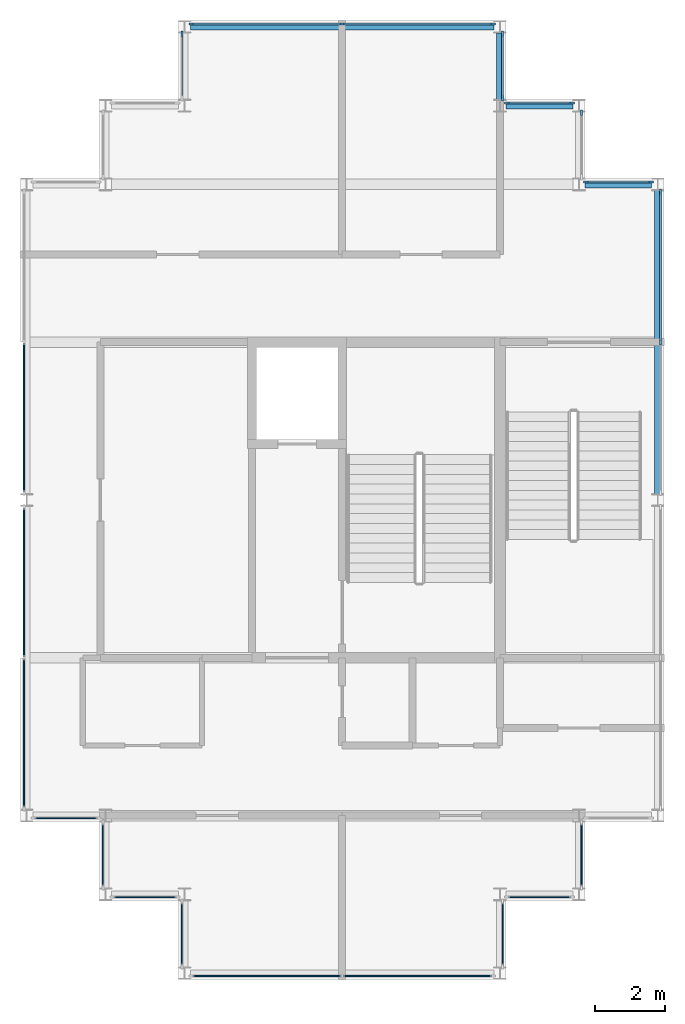
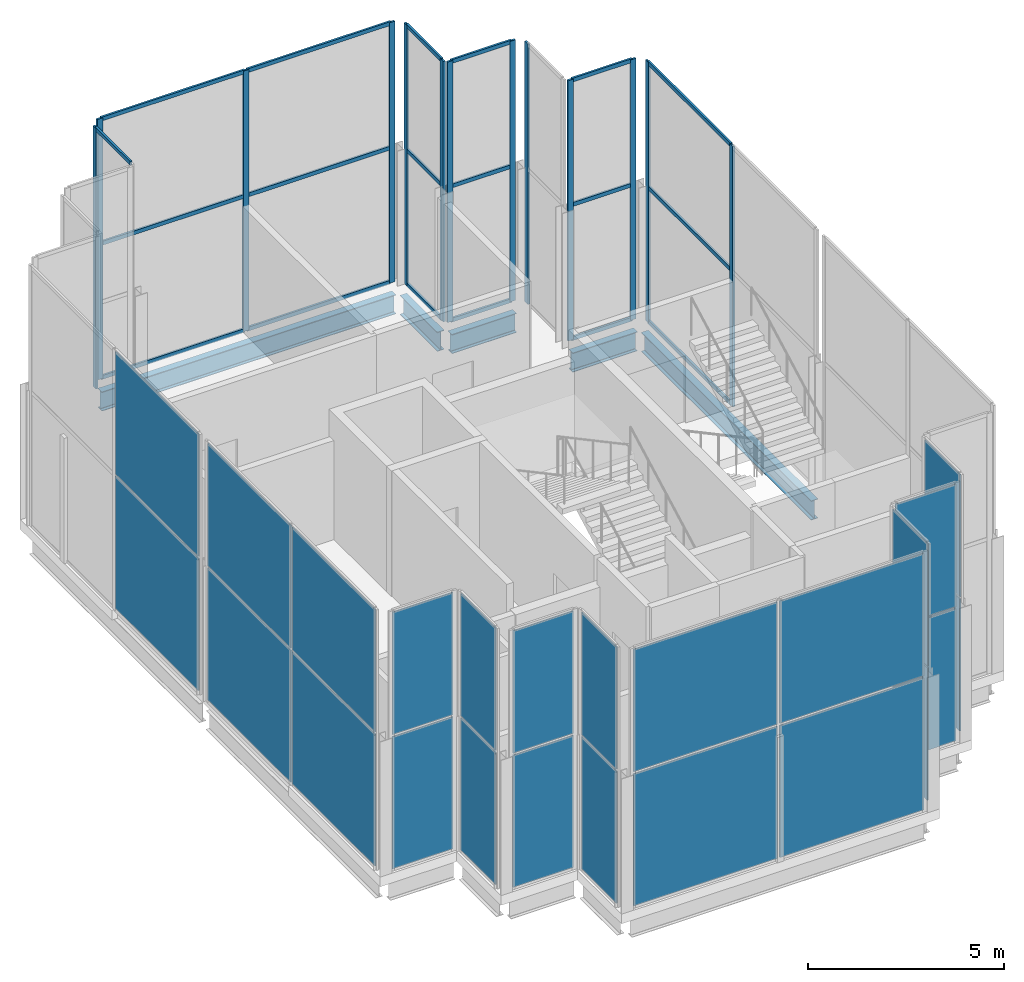
# One storey, part 3 of 8: 32 members, 24 plates, 5 beams, 17 elements without a shape of their own.
"""IFC4 building model written with IfcOpenShell, lengths in metres."""

from ifc_helpers import new_model, si_unit, direction, frame, origin, origin_2d, place, context, subcontext, project, spatial, rectangle, i_section, extrude, material, layer, layer_set, material_profile, profile_set, type_object, element, aggregate, save


model = new_model("IFC4")

# Units and contexts
model_context = context("Model", 3, precision=1e-05, world=origin(), true_north=direction((0.0, 1.0)))
body_context = subcontext(model_context, "Body", "Model", "MODEL_VIEW")
ifc_project = project(units=[si_unit("LENGTHUNIT", "METRE"), si_unit("AREAUNIT", "SQUARE_METRE"), si_unit("VOLUMEUNIT", "CUBIC_METRE"), si_unit("PLANEANGLEUNIT", "RADIAN"), si_unit("MASSUNIT", "GRAM", prefix="KILO")], contexts=[model_context])

# Site, building, storey
site_placement = place(None, origin())
site = spatial("IfcSite", under=ifc_project, at=site_placement, CompositionType="ELEMENT")
building_placement = place(site_placement, origin())
building = spatial("IfcBuilding", under=site, at=building_placement, Name="Caravel Reach Hotel and Residences", CompositionType="ELEMENT")
storey_placement = place(building_placement, frame((0.0, 0.0, 325.39990234375)))
storey = spatial("IfcBuildingStorey", under=building, at=storey_placement, Name="L82", CompositionType="ELEMENT", Elevation=325.39990234375)

# Curtain wall, members
ifc_material_1 = material(Name="Dark low-e glazing in black aluminium frame", Category="aluminium")
ifc_layer_1 = layer(ifc_material_1, 0.199951171875)
ifc_layer_set_1 = layer_set([ifc_layer_1], Name="CW4 Crown glazing")
curtain_wall_type = type_object("IfcCurtainWallType", Name="CW4 Crown glazing", PredefinedType="NOTDEFINED", material=ifc_layer_set_1)
curtain_wall_1_placement = place(storey_placement, origin())
curtain_wall_1 = element("IfcCurtainWall", 1, at=curtain_wall_1_placement, inside=storey, type_object=curtain_wall_type, Name="Crown glazing b1", PredefinedType="NOTDEFINED")
ifc_material_2 = material(Name="Anodised aluminium alloy 6063-T5, black", Category="aluminium")
ifc_material_profile_1 = material_profile(ifc_material_2, rectangle(XDim=0.06005859375, YDim=0.159912109375, at=origin_2d()), Name="CW mullion 60 x 160")
ifc_profile_set_1 = profile_set([ifc_material_profile_1], Name="Anodised aluminium alloy 6063-T5, black")
member_type_1 = type_object("IfcMemberType", Name="CW mullion 60 x 160", PredefinedType="MULLION", material=ifc_profile_set_1)
member_1_placement = place(storey_placement, frame((49.574951171875, 31.5, 0.0), z_axis=(0.0, 0.0, 1.0), x_axis=(-1.0, 0.0, 0.0)))
member_1 = element("IfcMember", 2, at=member_1_placement, type_object=member_type_1, Name="CW4 mullion 2", PredefinedType="MULLION", context=body_context, shape_type="SweptSolid", body=[
    extrude(rectangle(XDim=0.06005859375, YDim=0.159912109375, at=origin_2d()), origin(), (0.0, 0.0, 1.0), 8.10009765625),
])
member_2_placement = place(storey_placement, frame((49.574951171875, 35.794921875, 0.0), z_axis=(0.0, 0.0, 1.0), x_axis=(-1.0, 0.0, 0.0)))
member_2 = element("IfcMember", 3, at=member_2_placement, type_object=member_type_1, Name="CW4 mullion 3", PredefinedType="MULLION", context=body_context, shape_type="SweptSolid", body=[
    extrude(rectangle(XDim=0.06005859375, YDim=0.159912109375, at=origin_2d()), origin(), (0.0, 0.0, 1.0), 8.10009765625),
])

curtain_wall_2_placement = place(storey_placement, origin())
curtain_wall_2 = element("IfcCurtainWall", 4, at=curtain_wall_2_placement, inside=storey, type_object=curtain_wall_type, Name="Crown glazing b0", PredefinedType="NOTDEFINED")
member_3_placement = place(storey_placement, frame((49.294921875, 36.074951171875, 0.0), z_axis=(0.0, 0.0, 1.0), x_axis=(0.0, -1.0, 0.0)))
member_3 = element("IfcMember", 5, at=member_3_placement, type_object=member_type_1, Name="CW4 mullion 1", PredefinedType="MULLION", context=body_context, shape_type="SweptSolid", body=[
    extrude(rectangle(XDim=0.06005859375, YDim=0.159912109375, at=origin_2d()), origin(), (0.0, 0.0, 1.0), 8.10009765625),
])
member_4_placement = place(storey_placement, frame((47.455078125, 36.074951171875, 0.0), z_axis=(0.0, 0.0, 1.0), x_axis=(0.0, -1.0, 0.0)))
member_4 = element("IfcMember", 6, at=member_4_placement, type_object=member_type_1, Name="CW4 mullion 2", PredefinedType="MULLION", context=body_context, shape_type="SweptSolid", body=[
    extrude(rectangle(XDim=0.06005859375, YDim=0.159912109375, at=origin_2d()), origin(), (0.0, 0.0, 1.0), 8.10009765625),
])

# Curtain wall, member
curtain_wall_3_placement = place(storey_placement, origin())
curtain_wall_3 = element("IfcCurtainWall", 7, at=curtain_wall_3_placement, inside=storey, type_object=curtain_wall_type, Name="Crown glazing b0", PredefinedType="NOTDEFINED")
member_5_placement = place(storey_placement, frame((47.324951171875, 38.044921875, 0.0), z_axis=(0.0, 0.0, 1.0), x_axis=(-1.0, 0.0, 0.0)))
member_5 = element("IfcMember", 8, at=member_5_placement, type_object=member_type_1, Name="CW4 mullion 2", PredefinedType="MULLION", context=body_context, shape_type="SweptSolid", body=[
    extrude(rectangle(XDim=0.06005859375, YDim=0.159912109375, at=origin_2d()), origin(), (0.0, 0.0, 1.0), 8.10009765625),
])
aggregate(curtain_wall_3, [member_5])

# Curtain wall, members
curtain_wall_4_placement = place(storey_placement, origin())
curtain_wall_4 = element("IfcCurtainWall", 9, at=curtain_wall_4_placement, inside=storey, type_object=curtain_wall_type, Name="Crown glazing b0", PredefinedType="NOTDEFINED")
member_6_placement = place(storey_placement, frame((47.044921875, 38.324951171875, 0.0), z_axis=(0.0, 0.0, 1.0), x_axis=(0.0, -1.0, 0.0)))
member_6 = element("IfcMember", 10, at=member_6_placement, type_object=member_type_1, Name="CW4 mullion 1", PredefinedType="MULLION", context=body_context, shape_type="SweptSolid", body=[
    extrude(rectangle(XDim=0.06005859375, YDim=0.159912109375, at=origin_2d()), origin(), (0.0, 0.0, 1.0), 8.10009765625),
])
member_7_placement = place(storey_placement, frame((45.205078125, 38.324951171875, 0.0), z_axis=(0.0, 0.0, 1.0), x_axis=(0.0, -1.0, 0.0)))
member_7 = element("IfcMember", 11, at=member_7_placement, type_object=member_type_1, Name="CW4 mullion 2", PredefinedType="MULLION", context=body_context, shape_type="SweptSolid", body=[
    extrude(rectangle(XDim=0.06005859375, YDim=0.159912109375, at=origin_2d()), origin(), (0.0, 0.0, 1.0), 8.10009765625),
])

curtain_wall_5_placement = place(storey_placement, origin())
curtain_wall_5 = element("IfcCurtainWall", 12, at=curtain_wall_5_placement, inside=storey, type_object=curtain_wall_type, Name="Crown glazing b0", PredefinedType="NOTDEFINED")
member_8_placement = place(storey_placement, frame((45.074951171875, 38.455078125, 0.0), z_axis=(0.0, 0.0, 1.0), x_axis=(-1.0, 0.0, 0.0)))
member_8 = element("IfcMember", 13, at=member_8_placement, type_object=member_type_1, Name="CW4 mullion 1", PredefinedType="MULLION", context=body_context, shape_type="SweptSolid", body=[
    extrude(rectangle(XDim=0.06005859375, YDim=0.159912109375, at=origin_2d()), origin(), (0.0, 0.0, 1.0), 8.10009765625),
])
member_9_placement = place(storey_placement, frame((45.074951171875, 40.294921875, 0.0), z_axis=(0.0, 0.0, 1.0), x_axis=(-1.0, 0.0, 0.0)))
member_9 = element("IfcMember", 14, at=member_9_placement, type_object=member_type_1, Name="CW4 mullion 2", PredefinedType="MULLION", context=body_context, shape_type="SweptSolid", body=[
    extrude(rectangle(XDim=0.06005859375, YDim=0.159912109375, at=origin_2d()), origin(), (0.0, 0.0, 1.0), 8.10009765625),
])

curtain_wall_6_placement = place(storey_placement, origin())
curtain_wall_6 = element("IfcCurtainWall", 15, at=curtain_wall_6_placement, inside=storey, type_object=curtain_wall_type, Name="Crown glazing b0", PredefinedType="NOTDEFINED")
member_10_placement = place(storey_placement, frame((44.794921875, 40.574951171875, 0.0), z_axis=(0.0, 0.0, 1.0), x_axis=(0.0, -1.0, 0.0)))
member_10 = element("IfcMember", 16, at=member_10_placement, type_object=member_type_1, Name="CW4 mullion 1", PredefinedType="MULLION", context=body_context, shape_type="SweptSolid", body=[
    extrude(rectangle(XDim=0.06005859375, YDim=0.159912109375, at=origin_2d()), origin(), (0.0, 0.0, 1.0), 8.10009765625),
])
member_11_placement = place(storey_placement, frame((40.5, 40.574951171875, 0.0), z_axis=(0.0, 0.0, 1.0), x_axis=(0.0, -1.0, 0.0)))
member_11 = element("IfcMember", 17, at=member_11_placement, type_object=member_type_1, Name="CW4 mullion 2", PredefinedType="MULLION", context=body_context, shape_type="SweptSolid", body=[
    extrude(rectangle(XDim=0.06005859375, YDim=0.159912109375, at=origin_2d()), origin(), (0.0, 0.0, 1.0), 8.10009765625),
])
member_12_placement = place(storey_placement, frame((36.205078125, 40.574951171875, 0.0), z_axis=(0.0, 0.0, 1.0), x_axis=(0.0, -1.0, 0.0)))
member_12 = element("IfcMember", 18, at=member_12_placement, type_object=member_type_1, Name="CW4 mullion 3", PredefinedType="MULLION", context=body_context, shape_type="SweptSolid", body=[
    extrude(rectangle(XDim=0.06005859375, YDim=0.159912109375, at=origin_2d()), origin(), (0.0, 0.0, 1.0), 8.10009765625),
])

# Curtain wall, member
curtain_wall_7_placement = place(storey_placement, origin())
curtain_wall_7 = element("IfcCurtainWall", 19, at=curtain_wall_7_placement, inside=storey, type_object=curtain_wall_type, Name="Crown glazing b0", PredefinedType="NOTDEFINED")
member_13_placement = place(storey_placement, frame((35.925048828125, 40.294921875, 0.0), z_axis=(0.0, 0.0, 1.0), x_axis=(1.0, 0.0, 0.0)))
member_13 = element("IfcMember", 20, at=member_13_placement, type_object=member_type_1, Name="CW4 mullion 1", PredefinedType="MULLION", context=body_context, shape_type="SweptSolid", body=[
    extrude(rectangle(XDim=0.06005859375, YDim=0.159912109375, at=origin_2d()), origin(), (0.0, 0.0, 1.0), 8.10009765625),
])

# Member
ifc_material_3 = material(Name="Anodised aluminium alloy 6063-T5, black", Category="aluminium")
ifc_material_profile_2 = material_profile(ifc_material_3, rectangle(XDim=0.06005859375, YDim=0.1201171875, at=origin_2d()), Name="CW transom 60 x 120")
ifc_profile_set_2 = profile_set([ifc_material_profile_2], Name="Anodised aluminium alloy 6063-T5, black")
member_type_2 = type_object("IfcMemberType", Name="CW transom 60 x 120", PredefinedType="USERDEFINED", material=ifc_profile_set_2)
member_14_placement = place(storey_placement, frame((49.574951171875, 31.530029296875, 0.030029296875), z_axis=(0.0, 1.0, 0.0), x_axis=(-1.0, 0.0, 0.0)))
member_14 = element("IfcMember", 21, at=member_14_placement, type_object=member_type_2, Name="CW4 transom 2.1", ObjectType="TRANSOM", PredefinedType="USERDEFINED", context=body_context, shape_type="SweptSolid", body=[
    extrude(rectangle(XDim=0.06005859375, YDim=0.1201171875, at=origin_2d()), origin(), (0.0, 0.0, 1.0), 4.23486328125),
])

member_15_placement = place(storey_placement, frame((49.574951171875, 31.530029296875, 4.2001953125), z_axis=(0.0, 1.0, 0.0), x_axis=(-1.0, 0.0, 0.0)))
member_15 = element("IfcMember", 22, at=member_15_placement, type_object=member_type_2, Name="CW4 transom 2.2", ObjectType="TRANSOM", PredefinedType="USERDEFINED", context=body_context, shape_type="SweptSolid", body=[
    extrude(rectangle(XDim=0.06005859375, YDim=0.1201171875, at=origin_2d()), origin(), (0.0, 0.0, 1.0), 4.23486328125),
])

member_16_placement = place(storey_placement, frame((49.574951171875, 31.530029296875, 8.070068359375), z_axis=(0.0, 1.0, 0.0), x_axis=(-1.0, 0.0, 0.0)))
member_16 = element("IfcMember", 23, at=member_16_placement, type_object=member_type_2, Name="CW4 transom 2.3", ObjectType="TRANSOM", PredefinedType="USERDEFINED", context=body_context, shape_type="SweptSolid", body=[
    extrude(rectangle(XDim=0.06005859375, YDim=0.1201171875, at=origin_2d()), origin(), (0.0, 0.0, 1.0), 4.23486328125),
])

aggregate(curtain_wall_1, [member_1, member_2, member_14, member_15, member_16])

member_17_placement = place(storey_placement, frame((49.264892578125, 36.074951171875, 0.030029296875), z_axis=(-1.0, 0.0, 0.0), x_axis=(0.0, -1.0, 0.0)))
member_17 = element("IfcMember", 24, at=member_17_placement, type_object=member_type_2, Name="CW4 transom 1.1", ObjectType="TRANSOM", PredefinedType="USERDEFINED", context=body_context, shape_type="SweptSolid", body=[
    extrude(rectangle(XDim=0.06005859375, YDim=0.1201171875, at=origin_2d()), origin(), (0.0, 0.0, 1.0), 1.77978515625),
])

member_18_placement = place(storey_placement, frame((49.264892578125, 36.074951171875, 4.2001953125), z_axis=(-1.0, 0.0, 0.0), x_axis=(0.0, -1.0, 0.0)))
member_18 = element("IfcMember", 25, at=member_18_placement, type_object=member_type_2, Name="CW4 transom 1.2", ObjectType="TRANSOM", PredefinedType="USERDEFINED", context=body_context, shape_type="SweptSolid", body=[
    extrude(rectangle(XDim=0.06005859375, YDim=0.1201171875, at=origin_2d()), origin(), (0.0, 0.0, 1.0), 1.77978515625),
])

member_19_placement = place(storey_placement, frame((49.264892578125, 36.074951171875, 8.070068359375), z_axis=(-1.0, 0.0, 0.0), x_axis=(0.0, -1.0, 0.0)))
member_19 = element("IfcMember", 26, at=member_19_placement, type_object=member_type_2, Name="CW4 transom 1.3", ObjectType="TRANSOM", PredefinedType="USERDEFINED", context=body_context, shape_type="SweptSolid", body=[
    extrude(rectangle(XDim=0.06005859375, YDim=0.1201171875, at=origin_2d()), origin(), (0.0, 0.0, 1.0), 1.77978515625),
])

aggregate(curtain_wall_2, [member_3, member_4, member_17, member_18, member_19])

member_20_placement = place(storey_placement, frame((47.014892578125, 38.324951171875, 0.030029296875), z_axis=(-1.0, 0.0, 0.0), x_axis=(0.0, -1.0, 0.0)))
member_20 = element("IfcMember", 27, at=member_20_placement, type_object=member_type_2, Name="CW4 transom 1.1", ObjectType="TRANSOM", PredefinedType="USERDEFINED", context=body_context, shape_type="SweptSolid", body=[
    extrude(rectangle(XDim=0.06005859375, YDim=0.1201171875, at=origin_2d()), origin(), (0.0, 0.0, 1.0), 1.77978515625),
])

member_21_placement = place(storey_placement, frame((47.014892578125, 38.324951171875, 4.2001953125), z_axis=(-1.0, 0.0, 0.0), x_axis=(0.0, -1.0, 0.0)))
member_21 = element("IfcMember", 28, at=member_21_placement, type_object=member_type_2, Name="CW4 transom 1.2", ObjectType="TRANSOM", PredefinedType="USERDEFINED", context=body_context, shape_type="SweptSolid", body=[
    extrude(rectangle(XDim=0.06005859375, YDim=0.1201171875, at=origin_2d()), origin(), (0.0, 0.0, 1.0), 1.77978515625),
])

member_22_placement = place(storey_placement, frame((47.014892578125, 38.324951171875, 8.070068359375), z_axis=(-1.0, 0.0, 0.0), x_axis=(0.0, -1.0, 0.0)))
member_22 = element("IfcMember", 29, at=member_22_placement, type_object=member_type_2, Name="CW4 transom 1.3", ObjectType="TRANSOM", PredefinedType="USERDEFINED", context=body_context, shape_type="SweptSolid", body=[
    extrude(rectangle(XDim=0.06005859375, YDim=0.1201171875, at=origin_2d()), origin(), (0.0, 0.0, 1.0), 1.77978515625),
])

aggregate(curtain_wall_4, [member_6, member_7, member_20, member_21, member_22])

member_23_placement = place(storey_placement, frame((45.074951171875, 38.485107421875, 0.030029296875), z_axis=(0.0, 1.0, 0.0), x_axis=(-1.0, 0.0, 0.0)))
member_23 = element("IfcMember", 30, at=member_23_placement, type_object=member_type_2, Name="CW4 transom 1.1", ObjectType="TRANSOM", PredefinedType="USERDEFINED", context=body_context, shape_type="SweptSolid", body=[
    extrude(rectangle(XDim=0.06005859375, YDim=0.1201171875, at=origin_2d()), origin(), (0.0, 0.0, 1.0), 1.77978515625),
])

member_24_placement = place(storey_placement, frame((45.074951171875, 38.485107421875, 4.2001953125), z_axis=(0.0, 1.0, 0.0), x_axis=(-1.0, 0.0, 0.0)))
member_24 = element("IfcMember", 31, at=member_24_placement, type_object=member_type_2, Name="CW4 transom 1.2", ObjectType="TRANSOM", PredefinedType="USERDEFINED", context=body_context, shape_type="SweptSolid", body=[
    extrude(rectangle(XDim=0.06005859375, YDim=0.1201171875, at=origin_2d()), origin(), (0.0, 0.0, 1.0), 1.77978515625),
])

member_25_placement = place(storey_placement, frame((45.074951171875, 38.485107421875, 8.070068359375), z_axis=(0.0, 1.0, 0.0), x_axis=(-1.0, 0.0, 0.0)))
member_25 = element("IfcMember", 32, at=member_25_placement, type_object=member_type_2, Name="CW4 transom 1.3", ObjectType="TRANSOM", PredefinedType="USERDEFINED", context=body_context, shape_type="SweptSolid", body=[
    extrude(rectangle(XDim=0.06005859375, YDim=0.1201171875, at=origin_2d()), origin(), (0.0, 0.0, 1.0), 1.77978515625),
])

aggregate(curtain_wall_5, [member_8, member_9, member_23, member_24, member_25])

member_26_placement = place(storey_placement, frame((44.764892578125, 40.574951171875, 0.030029296875), z_axis=(-1.0, 0.0, 0.0), x_axis=(0.0, -1.0, 0.0)))
member_26 = element("IfcMember", 33, at=member_26_placement, type_object=member_type_2, Name="CW4 transom 1.1", ObjectType="TRANSOM", PredefinedType="USERDEFINED", context=body_context, shape_type="SweptSolid", body=[
    extrude(rectangle(XDim=0.06005859375, YDim=0.1201171875, at=origin_2d()), origin(), (0.0, 0.0, 1.0), 4.23486328125),
])

member_27_placement = place(storey_placement, frame((44.764892578125, 40.574951171875, 4.2001953125), z_axis=(-1.0, 0.0, 0.0), x_axis=(0.0, -1.0, 0.0)))
member_27 = element("IfcMember", 34, at=member_27_placement, type_object=member_type_2, Name="CW4 transom 1.2", ObjectType="TRANSOM", PredefinedType="USERDEFINED", context=body_context, shape_type="SweptSolid", body=[
    extrude(rectangle(XDim=0.06005859375, YDim=0.1201171875, at=origin_2d()), origin(), (0.0, 0.0, 1.0), 4.23486328125),
])

member_28_placement = place(storey_placement, frame((44.764892578125, 40.574951171875, 8.070068359375), z_axis=(-1.0, 0.0, 0.0), x_axis=(0.0, -1.0, 0.0)))
member_28 = element("IfcMember", 35, at=member_28_placement, type_object=member_type_2, Name="CW4 transom 1.3", ObjectType="TRANSOM", PredefinedType="USERDEFINED", context=body_context, shape_type="SweptSolid", body=[
    extrude(rectangle(XDim=0.06005859375, YDim=0.1201171875, at=origin_2d()), origin(), (0.0, 0.0, 1.0), 4.23486328125),
])

member_29_placement = place(storey_placement, frame((40.469970703125, 40.574951171875, 0.030029296875), z_axis=(-1.0, 0.0, 0.0), x_axis=(0.0, -1.0, 0.0)))
member_29 = element("IfcMember", 36, at=member_29_placement, type_object=member_type_2, Name="CW4 transom 2.1", ObjectType="TRANSOM", PredefinedType="USERDEFINED", context=body_context, shape_type="SweptSolid", body=[
    extrude(rectangle(XDim=0.06005859375, YDim=0.1201171875, at=origin_2d()), origin(), (0.0, 0.0, 1.0), 4.23486328125),
])

member_30_placement = place(storey_placement, frame((40.469970703125, 40.574951171875, 4.2001953125), z_axis=(-1.0, 0.0, 0.0), x_axis=(0.0, -1.0, 0.0)))
member_30 = element("IfcMember", 37, at=member_30_placement, type_object=member_type_2, Name="CW4 transom 2.2", ObjectType="TRANSOM", PredefinedType="USERDEFINED", context=body_context, shape_type="SweptSolid", body=[
    extrude(rectangle(XDim=0.06005859375, YDim=0.1201171875, at=origin_2d()), origin(), (0.0, 0.0, 1.0), 4.23486328125),
])

member_31_placement = place(storey_placement, frame((40.469970703125, 40.574951171875, 8.070068359375), z_axis=(-1.0, 0.0, 0.0), x_axis=(0.0, -1.0, 0.0)))
member_31 = element("IfcMember", 38, at=member_31_placement, type_object=member_type_2, Name="CW4 transom 2.3", ObjectType="TRANSOM", PredefinedType="USERDEFINED", context=body_context, shape_type="SweptSolid", body=[
    extrude(rectangle(XDim=0.06005859375, YDim=0.1201171875, at=origin_2d()), origin(), (0.0, 0.0, 1.0), 4.23486328125),
])

aggregate(curtain_wall_6, [member_10, member_11, member_12, member_26, member_27, member_28, member_29, member_30, member_31])

member_32_placement = place(storey_placement, frame((35.925048828125, 40.264892578125, 8.070068359375), z_axis=(0.0, -1.0, 0.0), x_axis=(1.0, 0.0, 0.0)))
member_32 = element("IfcMember", 39, at=member_32_placement, type_object=member_type_2, Name="CW4 transom 1.3", ObjectType="TRANSOM", PredefinedType="USERDEFINED", context=body_context, shape_type="SweptSolid", body=[
    extrude(rectangle(XDim=0.06005859375, YDim=0.1201171875, at=origin_2d()), origin(), (0.0, 0.0, 1.0), 1.77978515625),
])

aggregate(curtain_wall_7, [member_13, member_32])

# Beams
ifc_material_4 = material(Name="Structural steel Q355B", Category="steel")
ifc_material_profile_3 = material_profile(ifc_material_4, i_section(OverallWidth=0.199951171875, OverallDepth=0.60009765625, WebThickness=0.010986328125, FlangeThickness=0.01708984375, FilletRadius=0.012939453125, at=origin_2d()), Name="HN 600x200x11x17")
ifc_profile_set_3 = profile_set([ifc_material_profile_3], Name="Structural steel Q355B")
beam_type = type_object("IfcBeamType", Name="Spandrel beam HN 600x200x11x17", PredefinedType="SPANDREL", material=ifc_profile_set_3)
beam_1_placement = place(storey_placement, frame((49.5, 27.175048828125, -0.599853515625), z_axis=(0.0, 1.0, 0.0), x_axis=(-1.0, 0.0, 0.0)))
element("IfcBeam", 40, at=beam_1_placement, inside=storey, type_object=beam_type, Name="SP1 HN 600x200x11x17", PredefinedType="SPANDREL", context=body_context, shape_type="SweptSolid", body=[
    extrude(i_section(OverallWidth=0.199951171875, OverallDepth=0.60009765625, WebThickness=0.010986328125, FlangeThickness=0.01708984375, FilletRadius=0.012939453125, at=origin_2d()), origin(), (0.0, 0.0, 1.0), 8.64990234375),
])
for number, where, z_axis, x_axis, name in (
    (41, (49.324951171875, 36.0, -0.599853515625), (-1.0, 0.0, 0.0), (0.0, -1.0, 0.0), "SP1 HN 600x200x11x17"),
    (42, (47.074951171875, 38.25, -0.599853515625), (-1.0, 0.0, 0.0), (0.0, -1.0, 0.0), "SP1 HN 600x200x11x17"),
    (43, (45.0, 38.425048828125, -0.599853515625), (0.0, 1.0, 0.0), (-1.0, 0.0, 0.0), "SP1 HN 600x200x11x17"),
):
    element("IfcBeam", number, at=place(storey_placement, frame(where, z_axis=z_axis, x_axis=x_axis)), inside=storey, type_object=beam_type, Name=name, PredefinedType="SPANDREL", context=body_context, shape_type="SweptSolid", body=[
        extrude(i_section(OverallWidth=0.199951171875, OverallDepth=0.60009765625, WebThickness=0.010986328125, FlangeThickness=0.01708984375, FilletRadius=0.012939453125, at=origin_2d()), origin(), (0.0, 0.0, 1.0), 1.89990234375),
    ])
beam_2_placement = place(storey_placement, frame((44.824951171875, 40.5, -0.599853515625), z_axis=(-1.0, 0.0, 0.0), x_axis=(0.0, -1.0, 0.0)))
element("IfcBeam", 44, at=beam_2_placement, inside=storey, type_object=beam_type, Name="SP1 HN 600x200x11x17", PredefinedType="SPANDREL", context=body_context, shape_type="SweptSolid", body=[
    extrude(i_section(OverallWidth=0.199951171875, OverallDepth=0.60009765625, WebThickness=0.010986328125, FlangeThickness=0.01708984375, FilletRadius=0.012939453125, at=origin_2d()), origin(), (0.0, 0.0, 1.0), 8.64990234375),
])

# Curtain wall, plates
curtain_wall_8_placement = place(storey_placement, origin())
curtain_wall_8 = element("IfcCurtainWall", 45, at=curtain_wall_8_placement, inside=storey, type_object=curtain_wall_type, Name="Crown glazing b0", PredefinedType="NOTDEFINED")
ifc_material_5 = material(Name="Dark laminated low-e glass", Category="glass")
ifc_layer_2 = layer(ifc_material_5, 0.031982421875)
ifc_layer_set_2 = layer_set([ifc_layer_2], Name="CW glass panel 32")
plate_type = type_object("IfcPlateType", Name="CW glass panel 32", PredefinedType="CURTAIN_PANEL", material=ifc_layer_set_2)
plate_1_placement = place(storey_placement, frame((45.074951171875, 14.625, 0.06005859375), z_axis=(0.0, 0.0, 1.0), x_axis=(0.0, 1.0, 0.0)))
plate_1 = element("IfcPlate", 46, at=plate_1_placement, type_object=plate_type, Name="CW4 panel 1.1", PredefinedType="CURTAIN_PANEL", context=body_context, shape_type="SweptSolid", body=[
    extrude(rectangle(XDim=1.780029296875, YDim=0.031982421875, at=origin_2d()), origin(), (0.0, 0.0, 1.0), 4.110107421875),
])
plate_2_placement = place(storey_placement, frame((45.074951171875, 14.625, 4.22998046875), z_axis=(0.0, 0.0, 1.0), x_axis=(0.0, 1.0, 0.0)))
plate_2 = element("IfcPlate", 47, at=plate_2_placement, type_object=plate_type, Name="CW4 panel 1.2", PredefinedType="CURTAIN_PANEL", context=body_context, shape_type="SweptSolid", body=[
    extrude(rectangle(XDim=1.780029296875, YDim=0.031982421875, at=origin_2d()), origin(), (0.0, 0.0, 1.0), 3.81005859375),
])
aggregate(curtain_wall_8, [plate_1, plate_2])

curtain_wall_9_placement = place(storey_placement, origin())
curtain_wall_9 = element("IfcCurtainWall", 48, at=curtain_wall_9_placement, inside=storey, type_object=curtain_wall_type, Name="Crown glazing b0", PredefinedType="NOTDEFINED")
plate_3_placement = place(storey_placement, frame((46.125, 15.675048828125, 0.06005859375), z_axis=(0.0, 0.0, 1.0), x_axis=(1.0, 0.0, 0.0)))
plate_3 = element("IfcPlate", 49, at=plate_3_placement, type_object=plate_type, Name="CW4 panel 1.1", PredefinedType="CURTAIN_PANEL", context=body_context, shape_type="SweptSolid", body=[
    extrude(rectangle(XDim=1.780029296875, YDim=0.031982421875, at=origin_2d()), origin(), (0.0, 0.0, 1.0), 4.110107421875),
])
plate_4_placement = place(storey_placement, frame((46.125, 15.675048828125, 4.22998046875), z_axis=(0.0, 0.0, 1.0), x_axis=(1.0, 0.0, 0.0)))
plate_4 = element("IfcPlate", 50, at=plate_4_placement, type_object=plate_type, Name="CW4 panel 1.2", PredefinedType="CURTAIN_PANEL", context=body_context, shape_type="SweptSolid", body=[
    extrude(rectangle(XDim=1.780029296875, YDim=0.031982421875, at=origin_2d()), origin(), (0.0, 0.0, 1.0), 3.81005859375),
])
aggregate(curtain_wall_9, [plate_3, plate_4])

curtain_wall_10_placement = place(storey_placement, origin())
curtain_wall_10 = element("IfcCurtainWall", 51, at=curtain_wall_10_placement, inside=storey, type_object=curtain_wall_type, Name="Crown glazing b0", PredefinedType="NOTDEFINED")
plate_5_placement = place(storey_placement, frame((47.324951171875, 16.875, 0.06005859375), z_axis=(0.0, 0.0, 1.0), x_axis=(0.0, 1.0, 0.0)))
plate_5 = element("IfcPlate", 52, at=plate_5_placement, type_object=plate_type, Name="CW4 panel 1.1", PredefinedType="CURTAIN_PANEL", context=body_context, shape_type="SweptSolid", body=[
    extrude(rectangle(XDim=1.780029296875, YDim=0.031982421875, at=origin_2d()), origin(), (0.0, 0.0, 1.0), 4.110107421875),
])
plate_6_placement = place(storey_placement, frame((47.324951171875, 16.875, 4.22998046875), z_axis=(0.0, 0.0, 1.0), x_axis=(0.0, 1.0, 0.0)))
plate_6 = element("IfcPlate", 53, at=plate_6_placement, type_object=plate_type, Name="CW4 panel 1.2", PredefinedType="CURTAIN_PANEL", context=body_context, shape_type="SweptSolid", body=[
    extrude(rectangle(XDim=1.780029296875, YDim=0.031982421875, at=origin_2d()), origin(), (0.0, 0.0, 1.0), 3.81005859375),
])
aggregate(curtain_wall_10, [plate_5, plate_6])

curtain_wall_11_placement = place(storey_placement, origin())
curtain_wall_11 = element("IfcCurtainWall", 54, at=curtain_wall_11_placement, inside=storey, type_object=curtain_wall_type, Name="Crown glazing b0", PredefinedType="NOTDEFINED")
plate_7_placement = place(storey_placement, frame((31.425048828125, 29.3525390625, 0.06005859375), z_axis=(0.0, 0.0, 1.0), x_axis=(0.0, -1.0, 0.0)))
plate_7 = element("IfcPlate", 55, at=plate_7_placement, type_object=plate_type, Name="CW4 panel 2.1", PredefinedType="CURTAIN_PANEL", context=body_context, shape_type="SweptSolid", body=[
    extrude(rectangle(XDim=4.235107421875, YDim=0.031982421875, at=origin_2d()), origin(), (0.0, 0.0, 1.0), 4.110107421875),
])
plate_8_placement = place(storey_placement, frame((31.425048828125, 29.3525390625, 4.22998046875), z_axis=(0.0, 0.0, 1.0), x_axis=(0.0, -1.0, 0.0)))
plate_8 = element("IfcPlate", 56, at=plate_8_placement, type_object=plate_type, Name="CW4 panel 2.2", PredefinedType="CURTAIN_PANEL", context=body_context, shape_type="SweptSolid", body=[
    extrude(rectangle(XDim=4.235107421875, YDim=0.031982421875, at=origin_2d()), origin(), (0.0, 0.0, 1.0), 3.81005859375),
])
aggregate(curtain_wall_11, [plate_7, plate_8])

curtain_wall_12_placement = place(storey_placement, origin())
curtain_wall_12 = element("IfcCurtainWall", 57, at=curtain_wall_12_placement, inside=storey, type_object=curtain_wall_type, Name="Crown glazing b1", PredefinedType="NOTDEFINED")
plate_9_placement = place(storey_placement, frame((31.425048828125, 24.6474609375, 0.06005859375), z_axis=(0.0, 0.0, 1.0), x_axis=(0.0, -1.0, 0.0)))
plate_9 = element("IfcPlate", 58, at=plate_9_placement, type_object=plate_type, Name="CW4 panel 1.1", PredefinedType="CURTAIN_PANEL", context=body_context, shape_type="SweptSolid", body=[
    extrude(rectangle(XDim=4.235107421875, YDim=0.031982421875, at=origin_2d()), origin(), (0.0, 0.0, 1.0), 4.110107421875),
])
plate_10_placement = place(storey_placement, frame((31.425048828125, 24.6474609375, 4.22998046875), z_axis=(0.0, 0.0, 1.0), x_axis=(0.0, -1.0, 0.0)))
plate_10 = element("IfcPlate", 59, at=plate_10_placement, type_object=plate_type, Name="CW4 panel 1.2", PredefinedType="CURTAIN_PANEL", context=body_context, shape_type="SweptSolid", body=[
    extrude(rectangle(XDim=4.235107421875, YDim=0.031982421875, at=origin_2d()), origin(), (0.0, 0.0, 1.0), 3.81005859375),
])
plate_11_placement = place(storey_placement, frame((31.425048828125, 20.3525390625, 0.06005859375), z_axis=(0.0, 0.0, 1.0), x_axis=(0.0, -1.0, 0.0)))
plate_11 = element("IfcPlate", 60, at=plate_11_placement, type_object=plate_type, Name="CW4 panel 2.1", PredefinedType="CURTAIN_PANEL", context=body_context, shape_type="SweptSolid", body=[
    extrude(rectangle(XDim=4.235107421875, YDim=0.031982421875, at=origin_2d()), origin(), (0.0, 0.0, 1.0), 4.110107421875),
])
plate_12_placement = place(storey_placement, frame((31.425048828125, 20.3525390625, 4.22998046875), z_axis=(0.0, 0.0, 1.0), x_axis=(0.0, -1.0, 0.0)))
plate_12 = element("IfcPlate", 61, at=plate_12_placement, type_object=plate_type, Name="CW4 panel 2.2", PredefinedType="CURTAIN_PANEL", context=body_context, shape_type="SweptSolid", body=[
    extrude(rectangle(XDim=4.235107421875, YDim=0.031982421875, at=origin_2d()), origin(), (0.0, 0.0, 1.0), 3.81005859375),
])
aggregate(curtain_wall_12, [plate_9, plate_10, plate_11, plate_12])

curtain_wall_13_placement = place(storey_placement, origin())
curtain_wall_13 = element("IfcCurtainWall", 62, at=curtain_wall_13_placement, inside=storey, type_object=curtain_wall_type, Name="Crown glazing b0", PredefinedType="NOTDEFINED")
plate_13_placement = place(storey_placement, frame((32.625, 17.925048828125, 0.06005859375), z_axis=(0.0, 0.0, 1.0), x_axis=(1.0, 0.0, 0.0)))
plate_13 = element("IfcPlate", 63, at=plate_13_placement, type_object=plate_type, Name="CW4 panel 1.1", PredefinedType="CURTAIN_PANEL", context=body_context, shape_type="SweptSolid", body=[
    extrude(rectangle(XDim=1.780029296875, YDim=0.031982421875, at=origin_2d()), origin(), (0.0, 0.0, 1.0), 4.110107421875),
])
plate_14_placement = place(storey_placement, frame((32.625, 17.925048828125, 4.22998046875), z_axis=(0.0, 0.0, 1.0), x_axis=(1.0, 0.0, 0.0)))
plate_14 = element("IfcPlate", 64, at=plate_14_placement, type_object=plate_type, Name="CW4 panel 1.2", PredefinedType="CURTAIN_PANEL", context=body_context, shape_type="SweptSolid", body=[
    extrude(rectangle(XDim=1.780029296875, YDim=0.031982421875, at=origin_2d()), origin(), (0.0, 0.0, 1.0), 3.81005859375),
])
aggregate(curtain_wall_13, [plate_13, plate_14])

curtain_wall_14_placement = place(storey_placement, origin())
curtain_wall_14 = element("IfcCurtainWall", 65, at=curtain_wall_14_placement, inside=storey, type_object=curtain_wall_type, Name="Crown glazing b0", PredefinedType="NOTDEFINED")
plate_15_placement = place(storey_placement, frame((33.675048828125, 16.875, 0.06005859375), z_axis=(0.0, 0.0, 1.0), x_axis=(0.0, -1.0, 0.0)))
plate_15 = element("IfcPlate", 66, at=plate_15_placement, type_object=plate_type, Name="CW4 panel 1.1", PredefinedType="CURTAIN_PANEL", context=body_context, shape_type="SweptSolid", body=[
    extrude(rectangle(XDim=1.780029296875, YDim=0.031982421875, at=origin_2d()), origin(), (0.0, 0.0, 1.0), 4.110107421875),
])
plate_16_placement = place(storey_placement, frame((33.675048828125, 16.875, 4.22998046875), z_axis=(0.0, 0.0, 1.0), x_axis=(0.0, -1.0, 0.0)))
plate_16 = element("IfcPlate", 67, at=plate_16_placement, type_object=plate_type, Name="CW4 panel 1.2", PredefinedType="CURTAIN_PANEL", context=body_context, shape_type="SweptSolid", body=[
    extrude(rectangle(XDim=1.780029296875, YDim=0.031982421875, at=origin_2d()), origin(), (0.0, 0.0, 1.0), 3.81005859375),
])
aggregate(curtain_wall_14, [plate_15, plate_16])

curtain_wall_15_placement = place(storey_placement, origin())
curtain_wall_15 = element("IfcCurtainWall", 68, at=curtain_wall_15_placement, inside=storey, type_object=curtain_wall_type, Name="Crown glazing b0", PredefinedType="NOTDEFINED")
plate_17_placement = place(storey_placement, frame((34.875, 15.675048828125, 0.06005859375), z_axis=(0.0, 0.0, 1.0), x_axis=(1.0, 0.0, 0.0)))
plate_17 = element("IfcPlate", 69, at=plate_17_placement, type_object=plate_type, Name="CW4 panel 1.1", PredefinedType="CURTAIN_PANEL", context=body_context, shape_type="SweptSolid", body=[
    extrude(rectangle(XDim=1.780029296875, YDim=0.031982421875, at=origin_2d()), origin(), (0.0, 0.0, 1.0), 4.110107421875),
])
plate_18_placement = place(storey_placement, frame((34.875, 15.675048828125, 4.22998046875), z_axis=(0.0, 0.0, 1.0), x_axis=(1.0, 0.0, 0.0)))
plate_18 = element("IfcPlate", 70, at=plate_18_placement, type_object=plate_type, Name="CW4 panel 1.2", PredefinedType="CURTAIN_PANEL", context=body_context, shape_type="SweptSolid", body=[
    extrude(rectangle(XDim=1.780029296875, YDim=0.031982421875, at=origin_2d()), origin(), (0.0, 0.0, 1.0), 3.81005859375),
])
aggregate(curtain_wall_15, [plate_17, plate_18])

curtain_wall_16_placement = place(storey_placement, origin())
curtain_wall_16 = element("IfcCurtainWall", 71, at=curtain_wall_16_placement, inside=storey, type_object=curtain_wall_type, Name="Crown glazing b0", PredefinedType="NOTDEFINED")
plate_19_placement = place(storey_placement, frame((35.925048828125, 14.625, 0.06005859375), z_axis=(0.0, 0.0, 1.0), x_axis=(0.0, -1.0, 0.0)))
plate_19 = element("IfcPlate", 72, at=plate_19_placement, type_object=plate_type, Name="CW4 panel 1.1", PredefinedType="CURTAIN_PANEL", context=body_context, shape_type="SweptSolid", body=[
    extrude(rectangle(XDim=1.780029296875, YDim=0.031982421875, at=origin_2d()), origin(), (0.0, 0.0, 1.0), 4.110107421875),
])
plate_20_placement = place(storey_placement, frame((35.925048828125, 14.625, 4.22998046875), z_axis=(0.0, 0.0, 1.0), x_axis=(0.0, -1.0, 0.0)))
plate_20 = element("IfcPlate", 73, at=plate_20_placement, type_object=plate_type, Name="CW4 panel 1.2", PredefinedType="CURTAIN_PANEL", context=body_context, shape_type="SweptSolid", body=[
    extrude(rectangle(XDim=1.780029296875, YDim=0.031982421875, at=origin_2d()), origin(), (0.0, 0.0, 1.0), 3.81005859375),
])
aggregate(curtain_wall_16, [plate_19, plate_20])

curtain_wall_17_placement = place(storey_placement, origin())
curtain_wall_17 = element("IfcCurtainWall", 74, at=curtain_wall_17_placement, inside=storey, type_object=curtain_wall_type, Name="Crown glazing b0", PredefinedType="NOTDEFINED")
plate_21_placement = place(storey_placement, frame((38.3525390625, 13.425048828125, 0.06005859375), z_axis=(0.0, 0.0, 1.0), x_axis=(1.0, 0.0, 0.0)))
plate_21 = element("IfcPlate", 75, at=plate_21_placement, type_object=plate_type, Name="CW4 panel 1.1", PredefinedType="CURTAIN_PANEL", context=body_context, shape_type="SweptSolid", body=[
    extrude(rectangle(XDim=4.235107421875, YDim=0.031982421875, at=origin_2d()), origin(), (0.0, 0.0, 1.0), 4.110107421875),
])
plate_22_placement = place(storey_placement, frame((38.3525390625, 13.425048828125, 4.22998046875), z_axis=(0.0, 0.0, 1.0), x_axis=(1.0, 0.0, 0.0)))
plate_22 = element("IfcPlate", 76, at=plate_22_placement, type_object=plate_type, Name="CW4 panel 1.2", PredefinedType="CURTAIN_PANEL", context=body_context, shape_type="SweptSolid", body=[
    extrude(rectangle(XDim=4.235107421875, YDim=0.031982421875, at=origin_2d()), origin(), (0.0, 0.0, 1.0), 3.81005859375),
])
plate_23_placement = place(storey_placement, frame((42.6474609375, 13.425048828125, 0.06005859375), z_axis=(0.0, 0.0, 1.0), x_axis=(1.0, 0.0, 0.0)))
plate_23 = element("IfcPlate", 77, at=plate_23_placement, type_object=plate_type, Name="CW4 panel 2.1", PredefinedType="CURTAIN_PANEL", context=body_context, shape_type="SweptSolid", body=[
    extrude(rectangle(XDim=4.235107421875, YDim=0.031982421875, at=origin_2d()), origin(), (0.0, 0.0, 1.0), 4.110107421875),
])
plate_24_placement = place(storey_placement, frame((42.6474609375, 13.425048828125, 4.22998046875), z_axis=(0.0, 0.0, 1.0), x_axis=(1.0, 0.0, 0.0)))
plate_24 = element("IfcPlate", 78, at=plate_24_placement, type_object=plate_type, Name="CW4 panel 2.2", PredefinedType="CURTAIN_PANEL", context=body_context, shape_type="SweptSolid", body=[
    extrude(rectangle(XDim=4.235107421875, YDim=0.031982421875, at=origin_2d()), origin(), (0.0, 0.0, 1.0), 3.81005859375),
])
aggregate(curtain_wall_17, [plate_21, plate_22, plate_23, plate_24])

save(model, "model.ifc")
